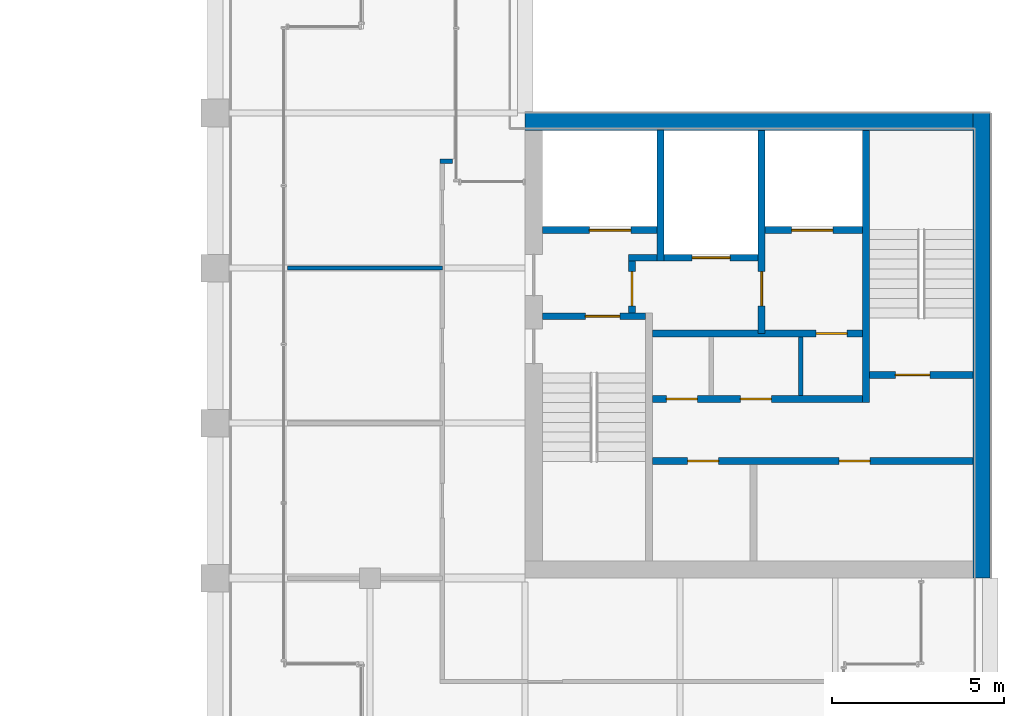
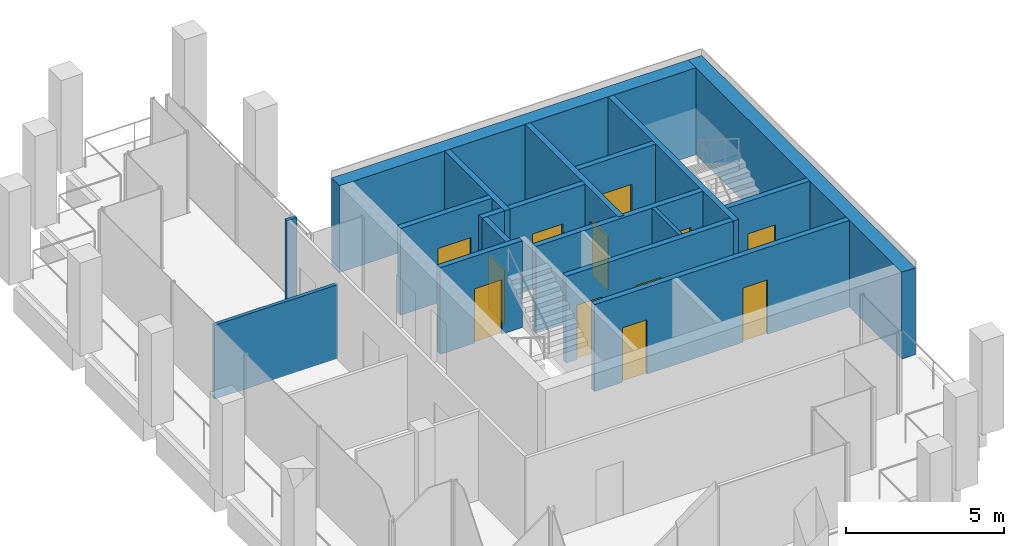
# One storey, part 38 of 41: 18 walls, 12 doors, 12 openings.
"""IFC4 building model written with IfcOpenShell, lengths in metres."""

import ifcopenshell
import ifcopenshell.guid

model = None  # the IFC model being written
_history = None  # IfcOwnerHistory: only IFC2X3 demands one
_inside = {}  # id of a spatial element -> (the spatial element, [elements in it])
_under = {}  # id of a project, library or spatial element -> (it, [spatial elements below it])
_declared = {}  # id of a project -> (the project, [libraries it declares])
_typed = {}  # id of a type object -> (the type object, [elements of that type])
_made_of = {}  # id of a material, layer set ... -> (it, [elements and type objects made of it])


def new_model(schema):
    """Start an empty IFC model of exactly this schema.

    Asked for "IFC4X3", IfcOpenShell would pick the latest addendum, in which some entities
    have other attributes; the version numbers below select the first issue.
    IFC2X3 requires an IfcOwnerHistory on every rooted entity: one is made here for all.
    """
    global model, _history
    if schema == "IFC4X3":
        model = ifcopenshell.file(schema_version=(4, 3, 0, 0))
    else:
        model = ifcopenshell.file(schema=schema)
    _inside.clear()
    _under.clear()
    _declared.clear()
    _typed.clear()
    _made_of.clear()
    _history = None
    if model.schema == "IFC2X3":
        org = make("IfcOrganization", Name="unknown")
        user = make(
            "IfcPersonAndOrganization",
            ThePerson=make("IfcPerson", FamilyName="unknown"),
            TheOrganization=org,
        )
        app = make(
            "IfcApplication",
            ApplicationDeveloper=org,
            Version="unknown",
            ApplicationFullName="unknown",
            ApplicationIdentifier="unknown",
        )
        _history = make(
            "IfcOwnerHistory",
            OwningUser=user,
            OwningApplication=app,
            ChangeAction="ADDED",
            CreationDate=0,
        )
    return model


def make(cls, **values):
    """One entity of the class cls with the attributes given. An attribute that is None is left unset."""
    return model.create_entity(
        cls, **{name: value for name, value in values.items() if value is not None}
    )


def rooted(cls, **values):
    """An entity with a GlobalId (a new one), such as an element, a storey or a relation."""
    return make(cls, GlobalId=ifcopenshell.guid.new(), OwnerHistory=_history, **values)


def si_unit(unit_type, name, prefix=None):
    """IfcSIUnit, for example si_unit("LENGTHUNIT", "METRE", prefix="MILLI")."""
    return make("IfcSIUnit", UnitType=unit_type, Prefix=prefix, Name=name)


def assignment(units):
    """IfcUnitAssignment: the units of a project."""
    return None if units is None else make("IfcUnitAssignment", Units=units)


def point(xyz):
    """IfcCartesianPoint."""
    return None if xyz is None else make("IfcCartesianPoint", Coordinates=xyz)


def direction(xyz):
    """IfcDirection."""
    return None if xyz is None else make("IfcDirection", DirectionRatios=xyz)


def frame(location, z_axis=None, x_axis=None):
    """IfcAxis2Placement3D, a coordinate frame: its origin and axes. An axis left out is left unset."""
    return make(
        "IfcAxis2Placement3D",
        Location=point(location),
        Axis=direction(z_axis),
        RefDirection=direction(x_axis),
    )


def frame_2d(location, x_axis=None):
    """IfcAxis2Placement2D, a coordinate frame in the plane: its origin and x axis."""
    return make(
        "IfcAxis2Placement2D", Location=point(location), RefDirection=direction(x_axis)
    )


def origin():
    """The frame at (0, 0, 0) with its axes left unset."""
    return frame((0.0, 0.0, 0.0))


def place(relative_to, where):
    """IfcLocalPlacement: puts the frame where relative to a parent placement (None: the world)."""
    return make(
        "IfcLocalPlacement", PlacementRelTo=relative_to, RelativePlacement=where
    )


def context(
    kind, dimensions, precision=None, world=None, true_north=None, identifier=None
):
    """IfcGeometricRepresentationContext, for example the 3D "Model" context."""
    return make(
        "IfcGeometricRepresentationContext",
        ContextIdentifier=identifier,
        ContextType=kind,
        CoordinateSpaceDimension=dimensions,
        Precision=precision,
        WorldCoordinateSystem=world,
        TrueNorth=true_north,
    )


def subcontext(parent, identifier, kind, view, scale=None):
    """IfcGeometricRepresentationSubContext, for example "Body" below "Model"."""
    return make(
        "IfcGeometricRepresentationSubContext",
        ContextIdentifier=identifier,
        ContextType=kind,
        ParentContext=parent,
        TargetScale=scale,
        TargetView=view,
    )


def project(units=None, contexts=None):
    """IfcProject with its units and contexts."""
    return rooted(
        "IfcProject",
        Name="project",
        RepresentationContexts=contexts,
        UnitsInContext=assignment(units),
    )


def spatial(cls, under=None, at=None, **own):
    """A site, building, storey or space (cls), placed at a placement, below another one or the project."""
    s = rooted(cls, ObjectPlacement=at, **own)
    if under is not None:
        _under.setdefault(under.id(), (under, []))[1].append(s)
    return s


def profile(cls, at=None, kind="AREA", **sizes):
    """A parametric profile (cls). Its sizes go by their IFC names, for example OverallWidth=200.0."""
    return make(cls, ProfileType=kind, Position=at, **sizes)


def rectangle(**sizes):
    """IfcRectangleProfileDef."""
    return profile("IfcRectangleProfileDef", **sizes)


def extrude(swept, where, along, depth):
    """IfcExtrudedAreaSolid: the profile swept, set in the frame where, extruded along a direction by depth."""
    return make(
        "IfcExtrudedAreaSolid",
        SweptArea=swept,
        Position=where,
        ExtrudedDirection=direction(along),
        Depth=depth,
    )


def shape(context_of_items, identifier, shape_type, items):
    """IfcShapeRepresentation: the items that make up one representation, for example the "Body"."""
    return make(
        "IfcShapeRepresentation",
        ContextOfItems=context_of_items,
        RepresentationIdentifier=identifier,
        RepresentationType=shape_type,
        Items=items,
    )


def material(Name=None, Category=None):
    """IfcMaterial."""
    return make("IfcMaterial", Name=Name, Category=Category)


def layer(
    of_material, thickness, ventilated=None, Name=None, Category=None, Priority=None
):
    """IfcMaterialLayer: one layer of a wall or slab, of a material (None: an air gap)."""
    return make(
        "IfcMaterialLayer",
        Material=of_material,
        LayerThickness=thickness,
        IsVentilated=ventilated,
        Name=Name,
        Category=Category,
        Priority=Priority,
    )


def layer_set(layers, Name=None):
    """IfcMaterialLayerSet."""
    return make("IfcMaterialLayerSet", MaterialLayers=layers, LayerSetName=Name)


def made_of(thing, what):
    """Note that an element or type object is made of a material, layer set ...; save() writes the relation."""
    if what is not None:
        _made_of.setdefault(what.id(), (what, []))[1].append(thing)
    return thing


def type_object(cls, material=None, **own):
    """A type object (cls), such as IfcWallType, which elements share."""
    return made_of(rooted(cls, **own), material)


def element(
    cls,
    number,
    at=None,
    inside=None,
    cuts=None,
    type_object=None,
    material=None,
    context=None,
    identifier="Body",
    shape_type=None,
    held_by="IfcProductDefinitionShape",
    body=None,
    shapes=None,
    **own,
):
    """One element of the class cls, such as IfcWall. Its Tag is "e" and its number.

    at: its placement. inside: the storey or other place that contains it. cuts: it is an
    opening in that element (IfcRelVoidsElement). A single representation is given by context,
    identifier, shape_type and body (its items); several are given by shapes. held_by: the class
    of the entity that holds the representations. save() writes the other relations.
    """
    e = rooted(cls, Tag="e%d" % number, ObjectPlacement=at, **own)
    if body is not None:
        shapes = [shape(context, identifier, shape_type, body)]
    if shapes is not None:
        e.Representation = make(held_by, Representations=shapes)
    if inside is not None:
        _inside.setdefault(inside.id(), (inside, []))[1].append(e)
    if cuts is not None:
        rooted(
            "IfcRelVoidsElement", RelatingBuildingElement=cuts, RelatedOpeningElement=e
        )
    if type_object is not None:
        _typed.setdefault(type_object.id(), (type_object, []))[1].append(e)
    return made_of(e, material)


def fill(opening, filler):
    """IfcRelFillsElement: the door or window that sits in an opening."""
    return rooted(
        "IfcRelFillsElement",
        RelatingOpeningElement=opening,
        RelatedBuildingElement=filler,
    )


def aggregate(whole, parts):
    """IfcRelAggregates: a whole, such as a stair, and the parts it consists of."""
    return rooted("IfcRelAggregates", RelatingObject=whole, RelatedObjects=parts)


def save(model, path):
    """Write the relations noted so far, then the file.

    IfcRelAggregates (storeys below a building ...), IfcRelContainedInSpatialStructure (elements
    in a storey), IfcRelDefinesByType, IfcRelAssociatesMaterial and IfcRelDeclares: one each for
    every whole, place, type object, material and project.
    """
    for whole, parts in _under.values():
        aggregate(whole, parts)
    for where, things in _inside.values():
        rooted(
            "IfcRelContainedInSpatialStructure",
            RelatedElements=things,
            RelatingStructure=where,
        )
    for kind, things in _typed.values():
        rooted("IfcRelDefinesByType", RelatedObjects=things, RelatingType=kind)
    for what, things in _made_of.values():
        rooted("IfcRelAssociatesMaterial", RelatedObjects=things, RelatingMaterial=what)
    for by, libraries in _declared.values():
        rooted("IfcRelDeclares", RelatingContext=by, RelatedDefinitions=libraries)
    model.write(path)


model = new_model("IFC4")

# Units and contexts
model_context = context("Model", 3, precision=1e-05, world=origin(), true_north=direction((0.0, 1.0)))
body_context = subcontext(model_context, "Body", "Model", "MODEL_VIEW")
ifc_project = project(units=[si_unit("LENGTHUNIT", "METRE"), si_unit("AREAUNIT", "SQUARE_METRE"), si_unit("VOLUMEUNIT", "CUBIC_METRE"), si_unit("PLANEANGLEUNIT", "RADIAN"), si_unit("MASSUNIT", "GRAM", prefix="KILO")], contexts=[model_context])

# Site, building, storey
site_placement = place(None, origin())
site = spatial("IfcSite", under=ifc_project, at=site_placement, CompositionType="ELEMENT")
building_placement = place(site_placement, origin())
building = spatial("IfcBuilding", under=site, at=building_placement, Name="Altepetl Exchange Towers", CompositionType="ELEMENT")
storey_placement = place(building_placement, frame((0.0, 0.0, 206.39990234375)))
storey = spatial("IfcBuildingStorey", under=building, at=storey_placement, Name="L52", CompositionType="ELEMENT", Elevation=206.39990234375)

# Walls
ifc_material_1 = material(Name="Concrete C70/85", Category="concrete")
ifc_layer_1 = layer(ifc_material_1, 0.5)
ifc_layer_set_1 = layer_set([ifc_layer_1], Name="Concrete C70/85")
wall_type_1 = type_object("IfcWallType", Name="Core wall 500 reinforced concrete external", PredefinedType="SHEAR", material=ifc_layer_set_1)
wall_1_placement = place(storey_placement, frame((116.75, 36.0, 0.0), z_axis=(0.0, 0.0, 1.0), x_axis=(0.0, 1.0, 0.0)))
element("IfcWall", 1, at=wall_1_placement, inside=storey, type_object=wall_type_1, Name="wall:B:L52:K-coreE", PredefinedType="SHEAR", context=body_context, shape_type="SweptSolid", body=[
    extrude(rectangle(XDim=13.5, YDim=0.5, at=frame_2d((6.75, 0.0))), origin(), (0.0, 0.0, 1.0), 3.35009765625),
])
wall_2_placement = place(storey_placement, frame((103.5, 49.25, 0.0)))
element("IfcWall", 2, at=wall_2_placement, inside=storey, type_object=wall_type_1, Name="wall:B:L52:K-coreN", PredefinedType="SHEAR", context=body_context, shape_type="SweptSolid", body=[
    extrude(rectangle(XDim=13.0, YDim=0.5, at=frame_2d((6.5, 0.0))), origin(), (0.0, 0.0, 1.0), 3.35009765625),
])
ifc_material_2 = material(Name="Concrete blockwork", Category="masonry")
ifc_layer_2 = layer(ifc_material_2, 0.199951171875)
ifc_layer_set_2 = layer_set([ifc_layer_2], Name="Concrete blockwork")
wall_type_2 = type_object("IfcWallType", Name="Lobby wall 200 blockwork", PredefinedType="PARTITIONING", material=ifc_layer_set_2)
wall_3_placement = place(storey_placement, frame((106.5, 45.300048828125, 0.0)))
element("IfcWall", 3, at=wall_3_placement, inside=storey, type_object=wall_type_2, Name="wall:B:L52:K-ffNw", PredefinedType="PARTITIONING", context=body_context, shape_type="SweptSolid", body=[
    extrude(rectangle(XDim=0.833251953125, YDim=0.199951171875, at=frame_2d((0.41650390625, 0.0))), origin(), (0.0, 0.0, 1.0), 3.35009765625),
])

# Wall, opening, door
wall_4_placement = place(storey_placement, frame((106.60009765625, 43.699951171875, 0.0), z_axis=(0.0, 0.0, 1.0), x_axis=(0.0, 1.0, 0.0)))
wall_4 = element("IfcWall", 4, at=wall_4_placement, inside=storey, type_object=wall_type_2, Name="wall:B:L52:K-ffW", PredefinedType="PARTITIONING", context=body_context, shape_type="SweptSolid", body=[
    extrude(rectangle(XDim=1.5, YDim=0.199951171875, at=frame_2d((0.75, 0.0))), origin(), (0.0, 0.0, 1.0), 3.35009765625),
])
opening_1_placement = place(wall_4_placement, frame((0.199951171875, 0.0, 0.0)))
opening_1 = element("IfcOpeningElement", 5, at=opening_1_placement, cuts=wall_4, Name="Opening L52.B65", PredefinedType="OPENING", context=body_context, shape_type="SweptSolid", body=[
    extrude(rectangle(XDim=1.0, YDim=2.10009765625, at=frame_2d((0.5, 1.050048828125))), frame((0.0, 0.10986328125, 0.0), z_axis=(0.0, -1.0, 0.0), x_axis=(1.0, 0.0, 0.0)), (0.0, 0.0, 1.0), 0.219970703125),
])
ifc_material_3 = material(Name="Steel and timber fire door", Category="steel")
door_type_1 = type_object("IfcDoorType", Name="Fire door 1000 x 2100 stair and lobby", OperationType="SINGLE_SWING_LEFT", PredefinedType="DOOR", material=ifc_material_3)
door_1_placement = place(opening_1_placement, frame((1.0, 0.0, 0.0), x_axis=(-1.0, 0.0, 0.0)))
door_1 = element("IfcDoor", 6, at=door_1_placement, inside=storey, type_object=door_type_1, Name="door:B:L52:K-dffW", OperationType="SINGLE_SWING_LEFT", OverallHeight=2.10009765625, OverallWidth=1.0, PredefinedType="DOOR", context=body_context, shape_type="SweptSolid", body=[
    extrude(rectangle(XDim=1.0, YDim=2.10009765625, at=frame_2d((0.5, 1.050048828125))), frame((0.0, 0.02490234375, 0.0), z_axis=(0.0, -1.0, 0.0), x_axis=(1.0, 0.0, 0.0)), (0.0, 0.0, 1.0), 0.050048828125),
])
fill(opening_1, door_1)

wall_5_placement = place(storey_placement, frame((107.199951171875, 43.10009765625, 0.0)))
wall_5 = element("IfcWall", 7, at=wall_5_placement, inside=storey, type_object=wall_type_2, Name="wall:B:L52:K-zoneN", PredefinedType="PARTITIONING", context=body_context, shape_type="SweptSolid", body=[
    extrude(rectangle(XDim=6.10009765625, YDim=0.199951171875, at=frame_2d((3.050048828125, 0.0))), origin(), (0.0, 0.0, 1.0), 3.35009765625),
])
opening_2_placement = place(wall_5_placement, frame((4.75, 0.0, 0.0)))
opening_2 = element("IfcOpeningElement", 8, at=opening_2_placement, cuts=wall_5, Name="Opening L52.B70", PredefinedType="OPENING", context=body_context, shape_type="SweptSolid", body=[
    extrude(rectangle(XDim=0.89990234375, YDim=2.10009765625, at=frame_2d((0.449951171875, 1.050048828125))), frame((0.0, 0.10986328125, 0.0), z_axis=(0.0, -1.0, 0.0), x_axis=(1.0, 0.0, 0.0)), (0.0, 0.0, 1.0), 0.219970703125),
])
door_type_2 = type_object("IfcDoorType", Name="Fire door 900 x 2100 service room", OperationType="SINGLE_SWING_LEFT", PredefinedType="DOOR", material=ifc_material_3)
door_2_placement = place(opening_2_placement, frame((0.89990234375, 0.0, 0.0), x_axis=(-1.0, 0.0, 0.0)))
door_2 = element("IfcDoor", 9, at=door_2_placement, inside=storey, type_object=door_type_2, Name="door:B:L52:K-dz3", OperationType="SINGLE_SWING_LEFT", OverallHeight=2.10009765625, OverallWidth=0.89990234375, PredefinedType="DOOR", context=body_context, shape_type="SweptSolid", body=[
    extrude(rectangle(XDim=0.89990234375, YDim=2.10009765625, at=frame_2d((0.449951171875, 1.050048828125))), frame((0.0, 0.02490234375, 0.0), z_axis=(0.0, -1.0, 0.0), x_axis=(1.0, 0.0, 0.0)), (0.0, 0.0, 1.0), 0.050048828125),
])
fill(opening_2, door_2)

# Wall, openings, doors
wall_6_placement = place(storey_placement, frame((107.199951171875, 41.199951171875, 0.0)))
wall_6 = element("IfcWall", 10, at=wall_6_placement, inside=storey, type_object=wall_type_2, Name="wall:B:L52:K-zoneS", PredefinedType="PARTITIONING", context=body_context, shape_type="SweptSolid", body=[
    extrude(rectangle(XDim=6.10009765625, YDim=0.199951171875, at=frame_2d((3.050048828125, 0.0))), origin(), (0.0, 0.0, 1.0), 3.35009765625),
])
opening_3_placement = place(wall_6_placement, frame((0.39990234375, 0.0, 0.0)))
opening_3 = element("IfcOpeningElement", 11, at=opening_3_placement, cuts=wall_6, Name="Opening L52.B68", PredefinedType="OPENING", context=body_context, shape_type="SweptSolid", body=[
    extrude(rectangle(XDim=0.89990234375, YDim=2.10009765625, at=frame_2d((0.449951171875, 1.050048828125))), frame((0.0, 0.10986328125, 0.0), z_axis=(0.0, -1.0, 0.0), x_axis=(1.0, 0.0, 0.0)), (0.0, 0.0, 1.0), 0.219970703125),
])
opening_4_placement = place(wall_6_placement, frame((2.550048828125, 0.0, 0.0)))
opening_4 = element("IfcOpeningElement", 12, at=opening_4_placement, cuts=wall_6, Name="Opening L52.B69", PredefinedType="OPENING", context=body_context, shape_type="SweptSolid", body=[
    extrude(rectangle(XDim=0.89990234375, YDim=2.10009765625, at=frame_2d((0.449951171875, 1.050048828125))), frame((0.0, 0.10986328125, 0.0), z_axis=(0.0, -1.0, 0.0), x_axis=(1.0, 0.0, 0.0)), (0.0, 0.0, 1.0), 0.219970703125),
])
door_3_placement = place(opening_3_placement, origin())
door_3 = element("IfcDoor", 13, at=door_3_placement, inside=storey, type_object=door_type_2, Name="door:B:L52:K-dz1", OperationType="SINGLE_SWING_RIGHT", OverallHeight=2.10009765625, OverallWidth=0.89990234375, PredefinedType="DOOR", context=body_context, shape_type="SweptSolid", body=[
    extrude(rectangle(XDim=0.89990234375, YDim=2.10009765625, at=frame_2d((0.449951171875, 1.050048828125))), frame((0.0, 0.02490234375, 0.0), z_axis=(0.0, -1.0, 0.0), x_axis=(1.0, 0.0, 0.0)), (0.0, 0.0, 1.0), 0.050048828125),
])
fill(opening_3, door_3)
door_4_placement = place(opening_4_placement, origin())
door_4 = element("IfcDoor", 14, at=door_4_placement, inside=storey, type_object=door_type_2, Name="door:B:L52:K-dz2", OperationType="SINGLE_SWING_LEFT", OverallHeight=2.10009765625, OverallWidth=0.89990234375, PredefinedType="DOOR", context=body_context, shape_type="SweptSolid", body=[
    extrude(rectangle(XDim=0.89990234375, YDim=2.10009765625, at=frame_2d((0.449951171875, 1.050048828125))), frame((0.0, 0.02490234375, 0.0), z_axis=(0.0, -1.0, 0.0), x_axis=(1.0, 0.0, 0.0)), (0.0, 0.0, 1.0), 0.050048828125),
])
fill(opening_4, door_4)

# Walls
ifc_material_4 = material(Name="Gypsum board on steel studs", Category="steel")
ifc_layer_3 = layer(ifc_material_4, 0.125)
ifc_layer_set_3 = layer_set([ifc_layer_3], Name="Gypsum board on steel studs")
wall_type_3 = type_object("IfcWallType", Name="Partition 125 gypsum board on steel studs", PredefinedType="PARTITIONING", material=ifc_layer_set_3)
wall_7_placement = place(storey_placement, frame((111.5, 41.300048828125, 0.0), z_axis=(0.0, 0.0, 1.0), x_axis=(0.0, 1.0, 0.0)))
element("IfcWall", 15, at=wall_7_placement, inside=storey, type_object=wall_type_3, Name="wall:B:L52:K-zp2", PredefinedType="PARTITIONING", context=body_context, shape_type="SweptSolid", body=[
    extrude(rectangle(XDim=1.699951171875, YDim=0.125, at=frame_2d((0.85009765625, 0.0))), origin(), (0.0, 0.0, 1.0), 3.35009765625),
])
wall_8_placement = place(storey_placement, frame((96.60009765625, 45.0, 0.0)))
element("IfcWall", 16, at=wall_8_placement, inside=storey, type_object=wall_type_3, Name="wall:B:L52:P05", PredefinedType="PARTITIONING", context=body_context, shape_type="SweptSolid", body=[
    extrude(rectangle(XDim=4.5, YDim=0.125, at=frame_2d((2.25, 0.0))), origin(), (0.0, 0.0, 1.0), 2.85107421875),
])
wall_9_placement = place(storey_placement, frame((101.03759765625, 48.10009765625, 0.0)))
element("IfcWall", 17, at=wall_9_placement, inside=storey, type_object=wall_type_3, Name="wall:B:L52:P06", PredefinedType="PARTITIONING", context=body_context, shape_type="SweptSolid", body=[
    extrude(rectangle(XDim=0.3623046875, YDim=0.125, at=frame_2d((0.18115234375, 0.0))), origin(), (0.0, 0.0, 1.0), 3.4501953125),
])
ifc_material_5 = material(Name="Concrete C40/50", Category="concrete")
ifc_layer_4 = layer(ifc_material_5, 0.199951171875)
ifc_layer_set_4 = layer_set([ifc_layer_4], Name="Concrete C40/50")
wall_type_4 = type_object("IfcWallType", Name="Shaft wall 200 reinforced concrete", PredefinedType="SHEAR", material=ifc_layer_set_4)
wall_10_placement = place(storey_placement, frame((107.433349609375, 49.0, 0.0), z_axis=(0.0, 0.0, 1.0), x_axis=(0.0, -1.0, 0.0)))
element("IfcWall", 18, at=wall_10_placement, inside=storey, type_object=wall_type_4, Name="wall:B:L52:K-divN1", PredefinedType="SHEAR", context=body_context, shape_type="SweptSolid", body=[
    extrude(rectangle(XDim=3.800048828125, YDim=0.199951171875, at=frame_2d((1.89990234375, 0.0))), origin(), (0.0, 0.0, 1.0), 3.35009765625),
])

# Wall, opening, door
wall_11_placement = place(storey_placement, frame((110.36669921875, 49.0, 0.0), z_axis=(0.0, 0.0, 1.0), x_axis=(0.0, -1.0, 0.0)))
wall_11 = element("IfcWall", 19, at=wall_11_placement, inside=storey, type_object=wall_type_4, Name="wall:B:L52:K-divN2", PredefinedType="SHEAR", context=body_context, shape_type="SweptSolid", body=[
    extrude(rectangle(XDim=5.89990234375, YDim=0.199951171875, at=frame_2d((2.949951171875, 0.0))), origin(), (0.0, 0.0, 1.0), 3.35009765625),
])
opening_5_placement = place(wall_11_placement, frame((4.10009765625, 0.0, 0.0)))
opening_5 = element("IfcOpeningElement", 20, at=opening_5_placement, cuts=wall_11, Name="Opening L52.B64", PredefinedType="OPENING", context=body_context, shape_type="SweptSolid", body=[
    extrude(rectangle(XDim=1.0, YDim=2.10009765625, at=frame_2d((0.5, 1.050048828125))), frame((0.0, 0.10986328125, 0.0), z_axis=(0.0, -1.0, 0.0), x_axis=(1.0, 0.0, 0.0)), (0.0, 0.0, 1.0), 0.219970703125),
])
door_5_placement = place(opening_5_placement, frame((1.0, 0.0, 0.0), x_axis=(-1.0, 0.0, 0.0)))
door_5 = element("IfcDoor", 21, at=door_5_placement, inside=storey, type_object=door_type_1, Name="door:B:L52:K-dffE", OperationType="SINGLE_SWING_RIGHT", OverallHeight=2.10009765625, OverallWidth=1.0, PredefinedType="DOOR", context=body_context, shape_type="SweptSolid", body=[
    extrude(rectangle(XDim=1.0, YDim=2.10009765625, at=frame_2d((0.5, 1.050048828125))), frame((0.0, 0.02490234375, 0.0), z_axis=(0.0, -1.0, 0.0), x_axis=(1.0, 0.0, 0.0)), (0.0, 0.0, 1.0), 0.050048828125),
])
fill(opening_5, door_5)

wall_12_placement = place(storey_placement, frame((104.0, 46.10009765625, 0.0)))
wall_12 = element("IfcWall", 22, at=wall_12_placement, inside=storey, type_object=wall_type_4, Name="wall:B:L52:K-frontNa", PredefinedType="SHEAR", context=body_context, shape_type="SweptSolid", body=[
    extrude(rectangle(XDim=3.333251953125, YDim=0.199951171875, at=frame_2d((1.66650390625, 0.0))), origin(), (0.0, 0.0, 1.0), 3.35009765625),
])
opening_6_placement = place(wall_12_placement, frame((1.36669921875, 0.0, 0.0)))
opening_6 = element("IfcOpeningElement", 23, at=opening_6_placement, cuts=wall_12, Name="Opening L52.B72", PredefinedType="OPENING", context=body_context, shape_type="SweptSolid", body=[
    extrude(rectangle(XDim=1.199951171875, YDim=2.10009765625, at=frame_2d((0.60009765625, 1.050048828125))), frame((0.0, 0.10986328125, 0.0), z_axis=(0.0, -1.0, 0.0), x_axis=(1.0, 0.0, 0.0)), (0.0, 0.0, 1.0), 0.219970703125),
])
ifc_material_6 = material(Name="Stainless steel", Category="steel")
door_type_3 = type_object("IfcDoorType", Name="Lift landing door 1200 x 2100", OperationType="SLIDING_TO_LEFT", PredefinedType="DOOR", material=ifc_material_6)
door_6_placement = place(opening_6_placement, origin())
door_6 = element("IfcDoor", 24, at=door_6_placement, inside=storey, type_object=door_type_3, Name="Landing door P4", OperationType="SLIDING_TO_LEFT", OverallHeight=2.10009765625, OverallWidth=1.199951171875, PredefinedType="DOOR", context=body_context, shape_type="SweptSolid", body=[
    extrude(rectangle(XDim=1.199951171875, YDim=2.10009765625, at=frame_2d((0.60009765625, 1.050048828125))), frame((0.0, 0.02490234375, 0.0), z_axis=(0.0, -1.0, 0.0), x_axis=(1.0, 0.0, 0.0)), (0.0, 0.0, 1.0), 0.050048828125),
])
fill(opening_6, door_6)

wall_13_placement = place(storey_placement, frame((110.466796875, 46.10009765625, 0.0)))
wall_13 = element("IfcWall", 25, at=wall_13_placement, inside=storey, type_object=wall_type_4, Name="wall:B:L52:K-frontNb", PredefinedType="SHEAR", context=body_context, shape_type="SweptSolid", body=[
    extrude(rectangle(XDim=2.833251953125, YDim=0.199951171875, at=frame_2d((1.41650390625, 0.0))), origin(), (0.0, 0.0, 1.0), 3.35009765625),
])
opening_7_placement = place(wall_13_placement, frame((0.7666015625, 0.0, 0.0)))
opening_7 = element("IfcOpeningElement", 26, at=opening_7_placement, cuts=wall_13, Name="Opening L52.B73", PredefinedType="OPENING", context=body_context, shape_type="SweptSolid", body=[
    extrude(rectangle(XDim=1.199951171875, YDim=2.10009765625, at=frame_2d((0.60009765625, 1.050048828125))), frame((0.0, 0.10986328125, 0.0), z_axis=(0.0, -1.0, 0.0), x_axis=(1.0, 0.0, 0.0)), (0.0, 0.0, 1.0), 0.219970703125),
])
door_7_placement = place(opening_7_placement, origin())
door_7 = element("IfcDoor", 27, at=door_7_placement, inside=storey, type_object=door_type_3, Name="Landing door P5", OperationType="SLIDING_TO_LEFT", OverallHeight=2.10009765625, OverallWidth=1.199951171875, PredefinedType="DOOR", context=body_context, shape_type="SweptSolid", body=[
    extrude(rectangle(XDim=1.199951171875, YDim=2.10009765625, at=frame_2d((0.60009765625, 1.050048828125))), frame((0.0, 0.02490234375, 0.0), z_axis=(0.0, -1.0, 0.0), x_axis=(1.0, 0.0, 0.0)), (0.0, 0.0, 1.0), 0.050048828125),
])
fill(opening_7, door_7)

wall_14_placement = place(storey_placement, frame((107.533203125, 45.300048828125, 0.0)))
wall_14 = element("IfcWall", 28, at=wall_14_placement, inside=storey, type_object=wall_type_4, Name="wall:B:L52:K-frontNd", PredefinedType="SHEAR", context=body_context, shape_type="SweptSolid", body=[
    extrude(rectangle(XDim=2.7333984375, YDim=0.199951171875, at=frame_2d((1.36669921875, 0.0))), origin(), (0.0, 0.0, 1.0), 3.35009765625),
])
opening_8_placement = place(wall_14_placement, frame((0.816650390625, 0.0, 0.0)))
opening_8 = element("IfcOpeningElement", 29, at=opening_8_placement, cuts=wall_14, Name="Opening L52.B71", PredefinedType="OPENING", context=body_context, shape_type="SweptSolid", body=[
    extrude(rectangle(XDim=1.10009765625, YDim=2.10009765625, at=frame_2d((0.550048828125, 1.050048828125))), frame((0.0, 0.10986328125, 0.0), z_axis=(0.0, -1.0, 0.0), x_axis=(1.0, 0.0, 0.0)), (0.0, 0.0, 1.0), 0.219970703125),
])
door_type_4 = type_object("IfcDoorType", Name="Lift landing door 1100 x 2100", OperationType="SLIDING_TO_LEFT", PredefinedType="DOOR", material=ifc_material_6)
door_8_placement = place(opening_8_placement, origin())
door_8 = element("IfcDoor", 30, at=door_8_placement, inside=storey, type_object=door_type_4, Name="Landing door FFL1", OperationType="SLIDING_TO_LEFT", OverallHeight=2.10009765625, OverallWidth=1.10009765625, PredefinedType="DOOR", context=body_context, shape_type="SweptSolid", body=[
    extrude(rectangle(XDim=1.10009765625, YDim=2.10009765625, at=frame_2d((0.550048828125, 1.050048828125))), frame((0.0, 0.02490234375, 0.0), z_axis=(0.0, -1.0, 0.0), x_axis=(1.0, 0.0, 0.0)), (0.0, 0.0, 1.0), 0.050048828125),
])
fill(opening_8, door_8)

# Wall, openings, doors
wall_15_placement = place(storey_placement, frame((107.199951171875, 39.39990234375, 0.0)))
wall_15 = element("IfcWall", 31, at=wall_15_placement, inside=storey, type_object=wall_type_4, Name="wall:B:L52:K-frontS", PredefinedType="SHEAR", context=body_context, shape_type="SweptSolid", body=[
    extrude(rectangle(XDim=9.300048828125, YDim=0.199951171875, at=frame_2d((4.64990234375, 0.0))), origin(), (0.0, 0.0, 1.0), 3.35009765625),
])
opening_9_placement = place(wall_15_placement, frame((1.0166015625, 0.0, 0.0)))
opening_9 = element("IfcOpeningElement", 32, at=opening_9_placement, cuts=wall_15, Name="Opening L52.B66", PredefinedType="OPENING", context=body_context, shape_type="SweptSolid", body=[
    extrude(rectangle(XDim=0.89990234375, YDim=2.10009765625, at=frame_2d((0.449951171875, 1.050048828125))), frame((0.0, 0.10986328125, 0.0), z_axis=(0.0, -1.0, 0.0), x_axis=(1.0, 0.0, 0.0)), (0.0, 0.0, 1.0), 0.219970703125),
])
opening_10_placement = place(wall_15_placement, frame((5.416748046875, 0.0, 0.0)))
opening_10 = element("IfcOpeningElement", 33, at=opening_10_placement, cuts=wall_15, Name="Opening L52.B67", PredefinedType="OPENING", context=body_context, shape_type="SweptSolid", body=[
    extrude(rectangle(XDim=0.89990234375, YDim=2.10009765625, at=frame_2d((0.449951171875, 1.050048828125))), frame((0.0, 0.10986328125, 0.0), z_axis=(0.0, -1.0, 0.0), x_axis=(1.0, 0.0, 0.0)), (0.0, 0.0, 1.0), 0.219970703125),
])
door_9_placement = place(opening_9_placement, frame((0.89990234375, 0.0, 0.0), x_axis=(-1.0, 0.0, 0.0)))
door_9 = element("IfcDoor", 34, at=door_9_placement, inside=storey, type_object=door_type_2, Name="door:B:L52:K-dslotS0", OperationType="SINGLE_SWING_LEFT", OverallHeight=2.10009765625, OverallWidth=0.89990234375, PredefinedType="DOOR", context=body_context, shape_type="SweptSolid", body=[
    extrude(rectangle(XDim=0.89990234375, YDim=2.10009765625, at=frame_2d((0.449951171875, 1.050048828125))), frame((0.0, 0.02490234375, 0.0), z_axis=(0.0, -1.0, 0.0), x_axis=(1.0, 0.0, 0.0)), (0.0, 0.0, 1.0), 0.050048828125),
])
fill(opening_9, door_9)
door_10_placement = place(opening_10_placement, frame((0.89990234375, 0.0, 0.0), x_axis=(-1.0, 0.0, 0.0)))
door_10 = element("IfcDoor", 35, at=door_10_placement, inside=storey, type_object=door_type_2, Name="door:B:L52:K-dslotS1", OperationType="SINGLE_SWING_LEFT", OverallHeight=2.10009765625, OverallWidth=0.89990234375, PredefinedType="DOOR", context=body_context, shape_type="SweptSolid", body=[
    extrude(rectangle(XDim=0.89990234375, YDim=2.10009765625, at=frame_2d((0.449951171875, 1.050048828125))), frame((0.0, 0.02490234375, 0.0), z_axis=(0.0, -1.0, 0.0), x_axis=(1.0, 0.0, 0.0)), (0.0, 0.0, 1.0), 0.050048828125),
])
fill(opening_10, door_10)

# Wall, opening, door
ifc_layer_5 = layer(ifc_material_5, 0.199951171875)
ifc_layer_set_5 = layer_set([ifc_layer_5], Name="Concrete C40/50")
wall_type_5 = type_object("IfcWallType", Name="Stair wall 200 reinforced concrete", PredefinedType="SHEAR", material=ifc_layer_set_5)
wall_16_placement = place(storey_placement, frame((104.0, 43.60009765625, 0.0)))
wall_16 = element("IfcWall", 36, at=wall_16_placement, inside=storey, type_object=wall_type_5, Name="wall:B:L52:K-stS1N", PredefinedType="SHEAR", context=body_context, shape_type="SweptSolid", body=[
    extrude(rectangle(XDim=3.0, YDim=0.199951171875, at=frame_2d((1.5, 0.0))), origin(), (0.0, 0.0, 1.0), 3.35009765625),
])
opening_11_placement = place(wall_16_placement, frame((1.25, 0.0, 0.0)))
opening_11 = element("IfcOpeningElement", 37, at=opening_11_placement, cuts=wall_16, Name="Opening L52.B61", PredefinedType="OPENING", context=body_context, shape_type="SweptSolid", body=[
    extrude(rectangle(XDim=1.0, YDim=2.10009765625, at=frame_2d((0.5, 1.050048828125))), frame((0.0, 0.10986328125, 0.0), z_axis=(0.0, -1.0, 0.0), x_axis=(1.0, 0.0, 0.0)), (0.0, 0.0, 1.0), 0.219970703125),
])
door_11_placement = place(opening_11_placement, frame((1.0, 0.0, 0.0), x_axis=(-1.0, 0.0, 0.0)))
door_11 = element("IfcDoor", 38, at=door_11_placement, inside=storey, type_object=door_type_1, Name="door:B:L52:K-dS1in", OperationType="SINGLE_SWING_LEFT", OverallHeight=2.10009765625, OverallWidth=1.0, PredefinedType="DOOR", context=body_context, shape_type="SweptSolid", body=[
    extrude(rectangle(XDim=1.0, YDim=2.10009765625, at=frame_2d((0.5, 1.050048828125))), frame((0.0, 0.02490234375, 0.0), z_axis=(0.0, -1.0, 0.0), x_axis=(1.0, 0.0, 0.0)), (0.0, 0.0, 1.0), 0.050048828125),
])
fill(opening_11, door_11)

wall_17_placement = place(storey_placement, frame((113.5, 41.89990234375, 0.0)))
wall_17 = element("IfcWall", 39, at=wall_17_placement, inside=storey, type_object=wall_type_5, Name="wall:B:L52:K-stS2S", PredefinedType="SHEAR", context=body_context, shape_type="SweptSolid", body=[
    extrude(rectangle(XDim=3.0, YDim=0.199951171875, at=frame_2d((1.5, 0.0))), origin(), (0.0, 0.0, 1.0), 3.35009765625),
])
opening_12_placement = place(wall_17_placement, frame((0.75, 0.0, 0.0)))
opening_12 = element("IfcOpeningElement", 40, at=opening_12_placement, cuts=wall_17, Name="Opening L52.B63", PredefinedType="OPENING", context=body_context, shape_type="SweptSolid", body=[
    extrude(rectangle(XDim=1.0, YDim=2.10009765625, at=frame_2d((0.5, 1.050048828125))), frame((0.0, 0.10986328125, 0.0), z_axis=(0.0, -1.0, 0.0), x_axis=(1.0, 0.0, 0.0)), (0.0, 0.0, 1.0), 0.219970703125),
])
door_12_placement = place(opening_12_placement, origin())
door_12 = element("IfcDoor", 41, at=door_12_placement, inside=storey, type_object=door_type_1, Name="door:B:L52:K-dS2in", OperationType="SINGLE_SWING_RIGHT", OverallHeight=2.10009765625, OverallWidth=1.0, PredefinedType="DOOR", context=body_context, shape_type="SweptSolid", body=[
    extrude(rectangle(XDim=1.0, YDim=2.10009765625, at=frame_2d((0.5, 1.050048828125))), frame((0.0, 0.02490234375, 0.0), z_axis=(0.0, -1.0, 0.0), x_axis=(1.0, 0.0, 0.0)), (0.0, 0.0, 1.0), 0.050048828125),
])
fill(opening_12, door_12)

# Wall
wall_18_placement = place(storey_placement, frame((113.39990234375, 41.10009765625, 0.0), z_axis=(0.0, 0.0, 1.0), x_axis=(0.0, 1.0, 0.0)))
element("IfcWall", 42, at=wall_18_placement, inside=storey, type_object=wall_type_5, Name="wall:B:L52:K-stS2W", PredefinedType="SHEAR", context=body_context, shape_type="SweptSolid", body=[
    extrude(rectangle(XDim=7.89990234375, YDim=0.199951171875, at=frame_2d((3.949951171875, 0.0))), origin(), (0.0, 0.0, 1.0), 3.35009765625),
])

save(model, "model.ifc")
